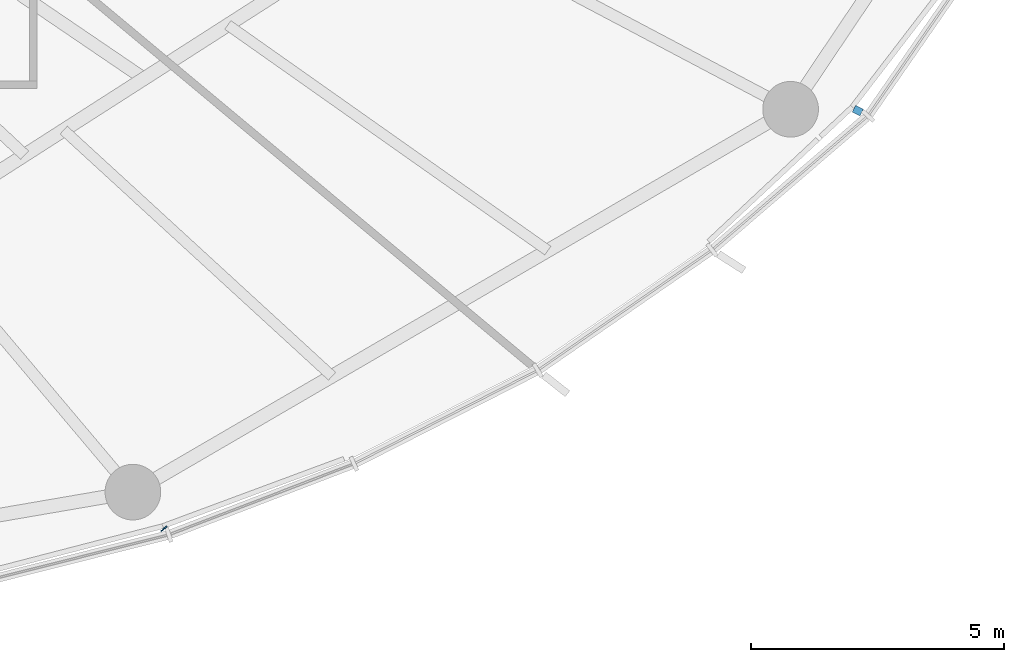
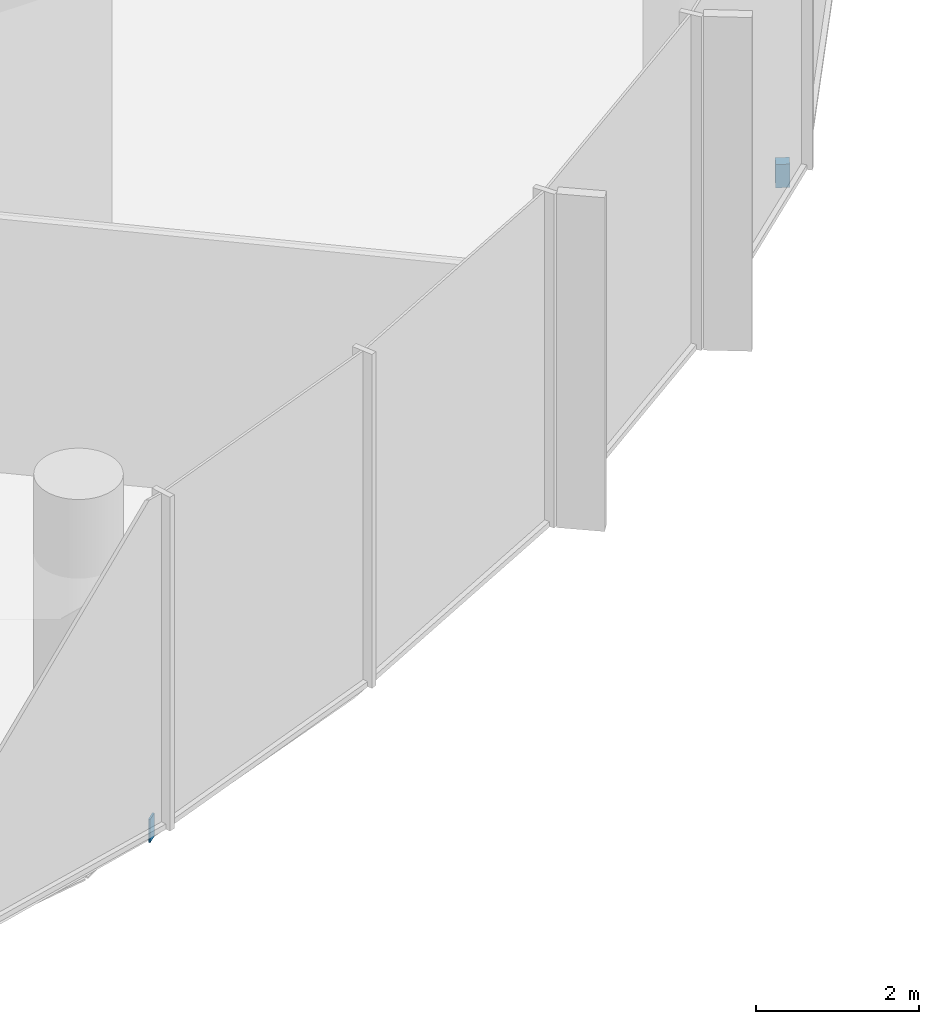
# One storey, part 21 of 28: 2 discrete accessories.
"""IFC4 building model written with IfcOpenShell, lengths in metres."""

import ifcopenshell
import ifcopenshell.guid

model = None  # the IFC model being written
_history = None  # IfcOwnerHistory: only IFC2X3 demands one
_inside = {}  # id of a spatial element -> (the spatial element, [elements in it])
_under = {}  # id of a project, library or spatial element -> (it, [spatial elements below it])
_declared = {}  # id of a project -> (the project, [libraries it declares])
_typed = {}  # id of a type object -> (the type object, [elements of that type])
_made_of = {}  # id of a material, layer set ... -> (it, [elements and type objects made of it])


def new_model(schema):
    """Start an empty IFC model of exactly this schema.

    Asked for "IFC4X3", IfcOpenShell would pick the latest addendum, in which some entities
    have other attributes; the version numbers below select the first issue.
    IFC2X3 requires an IfcOwnerHistory on every rooted entity: one is made here for all.
    """
    global model, _history
    if schema == "IFC4X3":
        model = ifcopenshell.file(schema_version=(4, 3, 0, 0))
    else:
        model = ifcopenshell.file(schema=schema)
    _inside.clear()
    _under.clear()
    _declared.clear()
    _typed.clear()
    _made_of.clear()
    _history = None
    if model.schema == "IFC2X3":
        org = make("IfcOrganization", Name="unknown")
        user = make(
            "IfcPersonAndOrganization",
            ThePerson=make("IfcPerson", FamilyName="unknown"),
            TheOrganization=org,
        )
        app = make(
            "IfcApplication",
            ApplicationDeveloper=org,
            Version="unknown",
            ApplicationFullName="unknown",
            ApplicationIdentifier="unknown",
        )
        _history = make(
            "IfcOwnerHistory",
            OwningUser=user,
            OwningApplication=app,
            ChangeAction="ADDED",
            CreationDate=0,
        )
    return model


def make(cls, **values):
    """One entity of the class cls with the attributes given. An attribute that is None is left unset."""
    return model.create_entity(
        cls, **{name: value for name, value in values.items() if value is not None}
    )


def rooted(cls, **values):
    """An entity with a GlobalId (a new one), such as an element, a storey or a relation."""
    return make(cls, GlobalId=ifcopenshell.guid.new(), OwnerHistory=_history, **values)


def si_unit(unit_type, name, prefix=None):
    """IfcSIUnit, for example si_unit("LENGTHUNIT", "METRE", prefix="MILLI")."""
    return make("IfcSIUnit", UnitType=unit_type, Prefix=prefix, Name=name)


def assignment(units):
    """IfcUnitAssignment: the units of a project."""
    return None if units is None else make("IfcUnitAssignment", Units=units)


def point(xyz):
    """IfcCartesianPoint."""
    return None if xyz is None else make("IfcCartesianPoint", Coordinates=xyz)


def direction(xyz):
    """IfcDirection."""
    return None if xyz is None else make("IfcDirection", DirectionRatios=xyz)


def frame(location, z_axis=None, x_axis=None):
    """IfcAxis2Placement3D, a coordinate frame: its origin and axes. An axis left out is left unset."""
    return make(
        "IfcAxis2Placement3D",
        Location=point(location),
        Axis=direction(z_axis),
        RefDirection=direction(x_axis),
    )


def frame_2d(location, x_axis=None):
    """IfcAxis2Placement2D, a coordinate frame in the plane: its origin and x axis."""
    return make(
        "IfcAxis2Placement2D", Location=point(location), RefDirection=direction(x_axis)
    )


def origin():
    """The frame at (0, 0, 0) with its axes left unset."""
    return frame((0.0, 0.0, 0.0))


def origin_2d():
    """The frame at (0, 0) in the plane with its x axis left unset."""
    return frame_2d((0.0, 0.0))


def place(relative_to, where):
    """IfcLocalPlacement: puts the frame where relative to a parent placement (None: the world)."""
    return make(
        "IfcLocalPlacement", PlacementRelTo=relative_to, RelativePlacement=where
    )


def context(
    kind, dimensions, precision=None, world=None, true_north=None, identifier=None
):
    """IfcGeometricRepresentationContext, for example the 3D "Model" context."""
    return make(
        "IfcGeometricRepresentationContext",
        ContextIdentifier=identifier,
        ContextType=kind,
        CoordinateSpaceDimension=dimensions,
        Precision=precision,
        WorldCoordinateSystem=world,
        TrueNorth=true_north,
    )


def subcontext(parent, identifier, kind, view, scale=None):
    """IfcGeometricRepresentationSubContext, for example "Body" below "Model"."""
    return make(
        "IfcGeometricRepresentationSubContext",
        ContextIdentifier=identifier,
        ContextType=kind,
        ParentContext=parent,
        TargetScale=scale,
        TargetView=view,
    )


def project(units=None, contexts=None):
    """IfcProject with its units and contexts."""
    return rooted(
        "IfcProject",
        Name="project",
        RepresentationContexts=contexts,
        UnitsInContext=assignment(units),
    )


def spatial(cls, under=None, at=None, **own):
    """A site, building, storey or space (cls), placed at a placement, below another one or the project."""
    s = rooted(cls, ObjectPlacement=at, **own)
    if under is not None:
        _under.setdefault(under.id(), (under, []))[1].append(s)
    return s


def profile(cls, at=None, kind="AREA", **sizes):
    """A parametric profile (cls). Its sizes go by their IFC names, for example OverallWidth=200.0."""
    return make(cls, ProfileType=kind, Position=at, **sizes)


def rectangle(**sizes):
    """IfcRectangleProfileDef."""
    return profile("IfcRectangleProfileDef", **sizes)


def extrude(swept, where, along, depth):
    """IfcExtrudedAreaSolid: the profile swept, set in the frame where, extruded along a direction by depth."""
    return make(
        "IfcExtrudedAreaSolid",
        SweptArea=swept,
        Position=where,
        ExtrudedDirection=direction(along),
        Depth=depth,
    )


def shape(context_of_items, identifier, shape_type, items):
    """IfcShapeRepresentation: the items that make up one representation, for example the "Body"."""
    return make(
        "IfcShapeRepresentation",
        ContextOfItems=context_of_items,
        RepresentationIdentifier=identifier,
        RepresentationType=shape_type,
        Items=items,
    )


def material(Name=None, Category=None):
    """IfcMaterial."""
    return make("IfcMaterial", Name=Name, Category=Category)


def made_of(thing, what):
    """Note that an element or type object is made of a material, layer set ...; save() writes the relation."""
    if what is not None:
        _made_of.setdefault(what.id(), (what, []))[1].append(thing)
    return thing


def type_object(cls, material=None, **own):
    """A type object (cls), such as IfcWallType, which elements share."""
    return made_of(rooted(cls, **own), material)


def element(
    cls,
    number,
    at=None,
    inside=None,
    cuts=None,
    type_object=None,
    material=None,
    context=None,
    identifier="Body",
    shape_type=None,
    held_by="IfcProductDefinitionShape",
    body=None,
    shapes=None,
    **own,
):
    """One element of the class cls, such as IfcWall. Its Tag is "e" and its number.

    at: its placement. inside: the storey or other place that contains it. cuts: it is an
    opening in that element (IfcRelVoidsElement). A single representation is given by context,
    identifier, shape_type and body (its items); several are given by shapes. held_by: the class
    of the entity that holds the representations. save() writes the other relations.
    """
    e = rooted(cls, Tag="e%d" % number, ObjectPlacement=at, **own)
    if body is not None:
        shapes = [shape(context, identifier, shape_type, body)]
    if shapes is not None:
        e.Representation = make(held_by, Representations=shapes)
    if inside is not None:
        _inside.setdefault(inside.id(), (inside, []))[1].append(e)
    if cuts is not None:
        rooted(
            "IfcRelVoidsElement", RelatingBuildingElement=cuts, RelatedOpeningElement=e
        )
    if type_object is not None:
        _typed.setdefault(type_object.id(), (type_object, []))[1].append(e)
    return made_of(e, material)


def aggregate(whole, parts):
    """IfcRelAggregates: a whole, such as a stair, and the parts it consists of."""
    return rooted("IfcRelAggregates", RelatingObject=whole, RelatedObjects=parts)


def save(model, path):
    """Write the relations noted so far, then the file.

    IfcRelAggregates (storeys below a building ...), IfcRelContainedInSpatialStructure (elements
    in a storey), IfcRelDefinesByType, IfcRelAssociatesMaterial and IfcRelDeclares: one each for
    every whole, place, type object, material and project.
    """
    for whole, parts in _under.values():
        aggregate(whole, parts)
    for where, things in _inside.values():
        rooted(
            "IfcRelContainedInSpatialStructure",
            RelatedElements=things,
            RelatingStructure=where,
        )
    for kind, things in _typed.values():
        rooted("IfcRelDefinesByType", RelatedObjects=things, RelatingType=kind)
    for what, things in _made_of.values():
        rooted("IfcRelAssociatesMaterial", RelatedObjects=things, RelatingMaterial=what)
    for by, libraries in _declared.values():
        rooted("IfcRelDeclares", RelatingContext=by, RelatedDefinitions=libraries)
    model.write(path)


model = new_model("IFC4")

# Units and contexts
model_context = context("Model", 3, precision=1e-05, world=origin(), true_north=direction((0.0, 1.0)))
body_context = subcontext(model_context, "Body", "Model", "MODEL_VIEW")
ifc_project = project(units=[si_unit("LENGTHUNIT", "METRE"), si_unit("AREAUNIT", "SQUARE_METRE"), si_unit("VOLUMEUNIT", "CUBIC_METRE"), si_unit("PLANEANGLEUNIT", "RADIAN"), si_unit("MASSUNIT", "GRAM", prefix="KILO")], contexts=[model_context])

# Site, building, storey
site_placement = place(None, origin())
site = spatial("IfcSite", under=ifc_project, at=site_placement, CompositionType="ELEMENT")
building_placement = place(site_placement, origin())
building = spatial("IfcBuilding", under=site, at=building_placement, Name="Ghaith Harvest Tower", CompositionType="ELEMENT")
storey_placement = place(building_placement, frame((0.0, 0.0, 5.0)))
storey = spatial("IfcBuildingStorey", under=building, at=storey_placement, Name="L01", CompositionType="ELEMENT", Elevation=5.0)

# Discrete accessories
ifc_material_1 = material(Name="Stainless steel grade 1.4401", Category="steel")
discrete_accessory_type_1 = type_object("IfcDiscreteAccessoryType", Name="CURTAIN WALL BRACKET 175", PredefinedType="BRACKET", material=ifc_material_1)
discrete_accessory_1_placement = place(storey_placement, frame((36.29736328125, -18.51220703125, -0.25), z_axis=(0.0, 0.0, 1.0), x_axis=(0.890830752177, -0.454335306767, 0.0)))
element("IfcDiscreteAccessory", 1, at=discrete_accessory_1_placement, inside=storey, type_object=discrete_accessory_type_1, Name="CW-P bracket 2 bay 19 L01", PredefinedType="BRACKET", context=body_context, shape_type="SweptSolid", body=[
    extrude(rectangle(XDim=0.175048828125, YDim=0.14990234375, at=origin_2d()), origin(), (0.0, 0.0, 1.0), 0.35009765625),
])
ifc_material_2 = material(Name="Stainless steel grade 1.4401", Category="steel")
discrete_accessory_type_2 = type_object("IfcDiscreteAccessoryType", Name="CURTAIN WALL BRACKET 25", PredefinedType="BRACKET", material=ifc_material_2)
discrete_accessory_2_placement = place(storey_placement, frame((22.58154296875, -26.778564453125, -0.25), z_axis=(0.0, 0.0, 1.0), x_axis=(0.644657240069, -0.764471741025, 0.0)))
element("IfcDiscreteAccessory", 2, at=discrete_accessory_2_placement, inside=storey, type_object=discrete_accessory_type_2, Name="CW-P bracket 1 bay 18 L01", PredefinedType="BRACKET", context=body_context, shape_type="SweptSolid", body=[
    extrude(rectangle(XDim=0.02490234375, YDim=0.14990234375, at=origin_2d()), origin(), (0.0, 0.0, 1.0), 0.35009765625),
])

save(model, "model.ifc")
